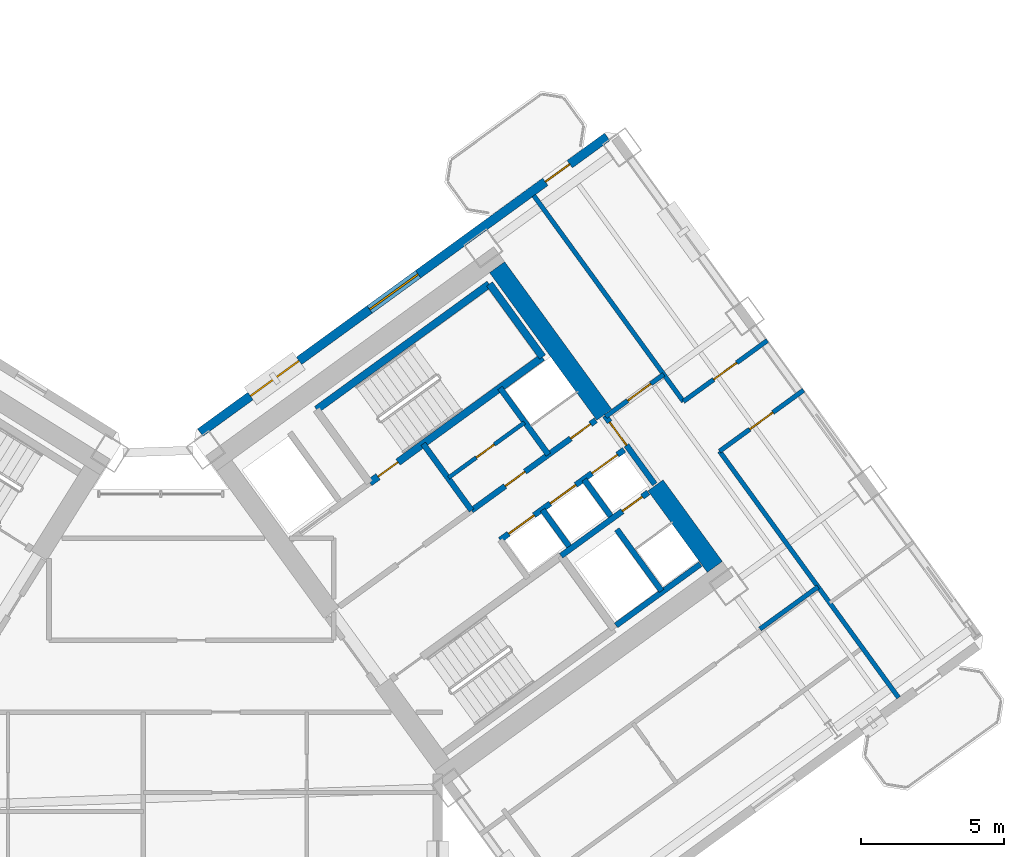
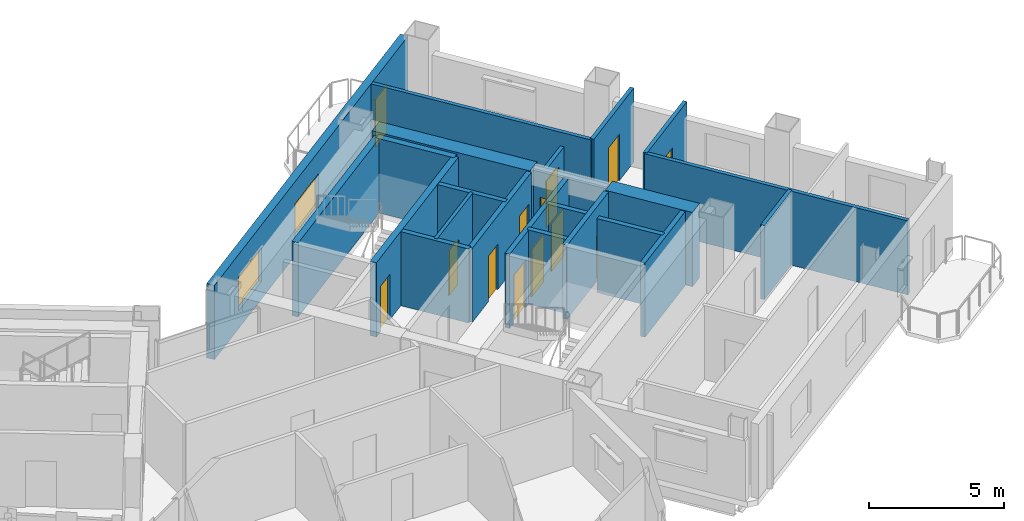
# One storey, part 19 of 24: 23 walls, 13 doors, 2 windows, 15 openings.
"""IFC4 building model written with IfcOpenShell, lengths in metres."""

from ifc_helpers import new_model, si_unit, direction, frame, frame_2d, origin, place, context, subcontext, project, spatial, rectangle, extrude, source, transform, mapped, material, layer, layer_set, type_object, element, fill, save


model = new_model("IFC4")

# Units and contexts
model_context = context("Model", 3, precision=1e-05, world=origin(), true_north=direction((0.0, 1.0)))
body_context = subcontext(model_context, "Body", "Model", "MODEL_VIEW")
ifc_project = project(units=[si_unit("LENGTHUNIT", "METRE"), si_unit("AREAUNIT", "SQUARE_METRE"), si_unit("VOLUMEUNIT", "CUBIC_METRE"), si_unit("PLANEANGLEUNIT", "RADIAN"), si_unit("MASSUNIT", "GRAM", prefix="KILO")], contexts=[model_context])

# Site, building, storey
site_placement = place(None, origin())
site = spatial("IfcSite", under=ifc_project, at=site_placement, CompositionType="ELEMENT")
building_placement = place(site_placement, origin())
building = spatial("IfcBuilding", under=site, at=building_placement, Name="Tlacorven Tower", CompositionType="ELEMENT")
storey_placement = place(building_placement, frame((0.0, 0.0, 31.199951171875)))
storey = spatial("IfcBuildingStorey", under=building, at=storey_placement, Name="L07", CompositionType="ELEMENT", Elevation=31.199951171875)

# Walls
ifc_material_1 = material(Name="Concrete C60/75", Category="concrete")
ifc_layer_1 = layer(ifc_material_1, 0.64990234375)
ifc_layer_set_1 = layer_set([ifc_layer_1], Name="Concrete C60/75")
wall_type_1 = type_object("IfcWallType", Name="WL-COR-650", PredefinedType="SHEAR", material=ifc_layer_set_1)
wall_1_placement = place(storey_placement, frame((61.9287109375, 20.494384765625, 0.0), z_axis=(0.0, 0.0, 1.0), x_axis=(-0.58782982593, 0.808984607855, 0.0)))
element("IfcWall", 1, at=wall_1_placement, inside=storey, type_object=wall_type_1, Name="L07 E core end wall E2.1", PredefinedType="SHEAR", context=body_context, shape_type="SweptSolid", body=[
    extrude(rectangle(XDim=3.52490234375, YDim=0.64990234375, at=frame_2d((1.762451171875, 0.0))), origin(), (0.0, 0.0, 1.0), 3.35009765625),
])
wall_2_placement = place(storey_placement, frame((58.06396484375, 25.8134765625, 0.0), z_axis=(0.0, 0.0, 1.0), x_axis=(-0.58777996584, 0.809020835181, 0.0)))
element("IfcWall", 2, at=wall_2_placement, inside=storey, type_object=wall_type_1, Name="L07 E core end wall E2.2", PredefinedType="SHEAR", context=body_context, shape_type="SweptSolid", body=[
    extrude(rectangle(XDim=6.375, YDim=0.64990234375, at=frame_2d((3.1875, 0.0))), origin(), (0.0, 0.0, 1.0), 3.35009765625),
])
ifc_material_2 = material(Name="Gypsum plasterboard acoustic partition", Category="gypsum")
ifc_layer_2 = layer(ifc_material_2, 0.159912109375)
ifc_layer_set_2 = layer_set([ifc_layer_2], Name="Gypsum plasterboard acoustic partition")
wall_type_2 = type_object("IfcWallType", Name="WL-DEM-160", PredefinedType="PARTITIONING", material=ifc_layer_set_2)
wall_3_placement = place(storey_placement, frame((63.5068359375, 18.322021484375, 0.0), z_axis=(0.0, 0.0, 1.0), x_axis=(0.809034604122, 0.587761013791, 0.0)))
element("IfcWall", 3, at=wall_3_placement, inside=storey, type_object=wall_type_2, Name="L07 partition 90", PredefinedType="PARTITIONING", context=body_context, shape_type="SweptSolid", body=[
    extrude(rectangle(XDim=2.510009765625, YDim=0.159912109375, at=frame_2d((1.2548828125, 0.0))), origin(), (0.0, 0.0, 1.0), 3.340087890625),
])

# Wall, opening, door
wall_4_placement = place(storey_placement, frame((58.111083984375, 25.748779296875, 0.0), z_axis=(0.0, 0.0, 1.0), x_axis=(0.809000999347, 0.58780726693, 0.0)))
wall_4 = element("IfcWall", 4, at=wall_4_placement, inside=storey, type_object=wall_type_2, Name="L07 partition 91", PredefinedType="PARTITIONING", context=body_context, shape_type="SweptSolid", body=[
    extrude(rectangle(XDim=2.510009765625, YDim=0.159912109375, at=frame_2d((1.2548828125, 0.0))), origin(), (0.0, 0.0, 1.0), 2.72509765625),
])
opening_1_placement = place(wall_4_placement, frame((0.949951171875, 0.0, 0.0)))
opening_1 = element("IfcOpeningElement", 5, at=opening_1_placement, cuts=wall_4, Name="Opening D11", PredefinedType="OPENING", context=body_context, shape_type="SweptSolid", body=[
    extrude(rectangle(XDim=1.0, YDim=2.10009765625, at=frame_2d((0.5, 1.050048828125))), frame((0.0, 0.08984375, 0.0), z_axis=(0.0, -1.0, 0.0), x_axis=(1.0, 0.0, 0.0)), (0.0, 0.0, 1.0), 0.179931640625),
])
ifc_material_3 = material(Name="Fire-rated steel door assembly", Category="steel")
door_type_1 = type_object("IfcDoorType", Name="DR-FLT-FD60-1000", OperationType="NOTDEFINED", PredefinedType="DOOR", material=ifc_material_3)
shared_shape_1 = source(origin(), body_context, "Body", "SweptSolid", [
    extrude(rectangle(XDim=1.0, YDim=2.10009765625, at=frame_2d((0.5, 1.050048828125))), frame((0.0, 0.02490234375, 0.0), z_axis=(0.0, -1.0, 0.0), x_axis=(1.0, 0.0, 0.0)), (0.0, 0.0, 1.0), 0.050048828125),
])
door_1_placement = place(opening_1_placement, origin())
door_1 = element("IfcDoor", 6, at=door_1_placement, inside=storey, type_object=door_type_1, Name="L07 door 054", OperationType="SINGLE_SWING_LEFT", OverallHeight=2.10009765625, OverallWidth=1.0, PredefinedType="DOOR", context=body_context, shape_type="MappedRepresentation", body=[
    mapped(shared_shape_1, transform((0.0, 0.0, 0.0), scale=1.0)),
])
fill(opening_1, door_1)

# Walls
wall_5_placement = place(storey_placement, frame((68.35302734375, 15.922119140625, 0.0), z_axis=(0.0, 0.0, 1.0), x_axis=(-0.587783168305, 0.809018508476, 0.0)))
element("IfcWall", 7, at=wall_5_placement, inside=storey, type_object=wall_type_2, Name="L07 partition 92", PredefinedType="PARTITIONING", context=body_context, shape_type="SweptSolid", body=[
    extrude(rectangle(XDim=10.650146484375, YDim=0.159912109375, at=frame_2d((5.3251953125, 0.0))), origin(), (0.0, 0.0, 1.0), 3.340087890625),
])
wall_6_placement = place(storey_placement, frame((60.829345703125, 26.277587890625, 0.0), z_axis=(0.0, 0.0, 1.0), x_axis=(-0.587781800813, 0.80901950201, 0.0)))
element("IfcWall", 8, at=wall_6_placement, inside=storey, type_object=wall_type_2, Name="L07 partition 93", PredefinedType="PARTITIONING", context=body_context, shape_type="SweptSolid", body=[
    extrude(rectangle(XDim=8.89990234375, YDim=0.159912109375, at=frame_2d((4.449951171875, 0.0))), origin(), (0.0, 0.0, 1.0), 3.340087890625),
])

# Wall, opening, door
wall_7_placement = place(storey_placement, frame((62.093017578125, 24.538330078125, 0.0), z_axis=(0.0, 0.0, 1.0), x_axis=(0.809035546126, 0.58775971715, 0.0)))
wall_7 = element("IfcWall", 9, at=wall_7_placement, inside=storey, type_object=wall_type_2, Name="L07 partition 95", PredefinedType="PARTITIONING", context=body_context, shape_type="SweptSolid", body=[
    extrude(rectangle(XDim=3.6298828125, YDim=0.159912109375, at=frame_2d((1.81494140625, 0.0))), origin(), (0.0, 0.0, 1.0), 3.340087890625),
])
opening_2_placement = place(wall_7_placement, frame((1.304931640625, 0.0, 0.0)))
opening_2 = element("IfcOpeningElement", 10, at=opening_2_placement, cuts=wall_7, Name="Opening D11", PredefinedType="OPENING", context=body_context, shape_type="SweptSolid", body=[
    extrude(rectangle(XDim=1.0, YDim=2.10009765625, at=frame_2d((0.5, 1.050048828125))), frame((0.0, 0.08984375, 0.0), z_axis=(0.0, -1.0, 0.0), x_axis=(1.0, 0.0, 0.0)), (0.0, 0.0, 1.0), 0.179931640625),
])
door_2_placement = place(opening_2_placement, origin())
door_2 = element("IfcDoor", 11, at=door_2_placement, inside=storey, type_object=door_type_1, Name="L07 door 057", OperationType="SINGLE_SWING_RIGHT", OverallHeight=2.10009765625, OverallWidth=1.0, PredefinedType="DOOR", context=body_context, shape_type="MappedRepresentation", body=[
    mapped(shared_shape_1, transform((0.0, 0.0, 0.0), scale=1.0)),
])
fill(opening_2, door_2)

wall_8_placement = place(storey_placement, frame((60.829345703125, 26.277587890625, 0.0), z_axis=(0.0, 0.0, 1.0), x_axis=(0.809003564202, 0.587803736896, 0.0)))
wall_8 = element("IfcWall", 12, at=wall_8_placement, inside=storey, type_object=wall_type_2, Name="L07 partition 96", PredefinedType="PARTITIONING", context=body_context, shape_type="SweptSolid", body=[
    extrude(rectangle(XDim=3.630126953125, YDim=0.159912109375, at=frame_2d((1.81494140625, 0.0))), origin(), (0.0, 0.0, 1.0), 3.340087890625),
])
opening_3_placement = place(wall_8_placement, frame((1.304931640625, 0.0, 0.0)))
opening_3 = element("IfcOpeningElement", 13, at=opening_3_placement, cuts=wall_8, Name="Opening D11", PredefinedType="OPENING", context=body_context, shape_type="SweptSolid", body=[
    extrude(rectangle(XDim=1.0, YDim=2.10009765625, at=frame_2d((0.5, 1.050048828125))), frame((0.0, 0.08984375, 0.0), z_axis=(0.0, -1.0, 0.0), x_axis=(1.0, 0.0, 0.0)), (0.0, 0.0, 1.0), 0.179931640625),
])
door_3_placement = place(opening_3_placement, origin())
door_3 = element("IfcDoor", 14, at=door_3_placement, inside=storey, type_object=door_type_1, Name="L07 door 056", OperationType="SINGLE_SWING_LEFT", OverallHeight=2.10009765625, OverallWidth=1.0, PredefinedType="DOOR", context=body_context, shape_type="MappedRepresentation", body=[
    mapped(shared_shape_1, transform((0.0, 0.0, 0.0), scale=1.0)),
])
fill(opening_3, door_3)

# Wall, openings, door, windows
ifc_material_4 = material(Name="Precast concrete C45/55", Category="concrete")
ifc_layer_3 = layer(ifc_material_4, 0.320068359375)
ifc_layer_set_3 = layer_set([ifc_layer_3], Name="Precast concrete C45/55")
wall_type_3 = type_object("IfcWallType", Name="WL-EXT-320", PredefinedType="STANDARD", material=ifc_layer_set_3)
wall_9_placement = place(storey_placement, frame((43.93798828125, 25.191650390625, 0.0), z_axis=(0.0, 0.0, 1.0), x_axis=(0.809016324578, 0.587786174187, 0.0)))
wall_9 = element("IfcWall", 15, at=wall_9_placement, inside=storey, type_object=wall_type_3, Name="L07 Masonry-Frame Recessed Facade Wall 4", PredefinedType="STANDARD", context=body_context, shape_type="SweptSolid", body=[
    extrude(rectangle(XDim=17.58740234375, YDim=0.320068359375, at=frame_2d((8.793701171875, 0.0))), origin(), (0.0, 0.0, 1.0), 3.35009765625),
])
opening_4_placement = place(wall_9_placement, frame((14.913818359375, 0.0, 0.0)))
opening_4 = element("IfcOpeningElement", 16, at=opening_4_placement, cuts=wall_9, Name="Opening D06", PredefinedType="OPENING", context=body_context, shape_type="SweptSolid", body=[
    extrude(rectangle(XDim=1.050048828125, YDim=2.14990234375, at=frame_2d((0.52490234375, 1.074951171875))), frame((0.0, 0.169921875, 0.0), z_axis=(0.0, -1.0, 0.0), x_axis=(1.0, 0.0, 0.0)), (0.0, 0.0, 1.0), 0.340087890625),
])
opening_5_placement = place(wall_9_placement, frame((2.168701171875, 0.0, 0.800048828125)))
opening_5 = element("IfcOpeningElement", 17, at=opening_5_placement, cuts=wall_9, Name="Opening WN04", PredefinedType="OPENING", context=body_context, shape_type="SweptSolid", body=[
    extrude(rectangle(XDim=2.10009765625, YDim=1.550048828125, at=frame_2d((1.050048828125, 0.77490234375))), frame((0.0, 0.169921875, 0.0), z_axis=(0.0, -1.0, 0.0), x_axis=(1.0, 0.0, 0.0)), (0.0, 0.0, 1.0), 0.340087890625),
])
opening_6_placement = place(wall_9_placement, frame((7.318603515625, 0.0, 0.800048828125)))
opening_6 = element("IfcOpeningElement", 18, at=opening_6_placement, cuts=wall_9, Name="Opening WN04", PredefinedType="OPENING", context=body_context, shape_type="SweptSolid", body=[
    extrude(rectangle(XDim=2.10009765625, YDim=1.550048828125, at=frame_2d((1.050048828125, 0.77490234375))), frame((0.0, 0.169921875, 0.0), z_axis=(0.0, -1.0, 0.0), x_axis=(1.0, 0.0, 0.0)), (0.0, 0.0, 1.0), 0.340087890625),
])
ifc_material_5 = material(Name="Powder-coated aluminium and timber door", Category="wood")
door_type_2 = type_object("IfcDoorType", Name="DR-EXT-BALC-1050", OperationType="NOTDEFINED", PredefinedType="DOOR", material=ifc_material_5)
shared_shape_2 = source(origin(), body_context, "Body", "SweptSolid", [
    extrude(rectangle(XDim=1.050048828125, YDim=2.14990234375, at=frame_2d((0.52490234375, 1.074951171875))), frame((0.0, 0.02490234375, 0.0), z_axis=(0.0, -1.0, 0.0), x_axis=(1.0, 0.0, 0.0)), (0.0, 0.0, 1.0), 0.050048828125),
])
door_4_placement = place(opening_4_placement, origin())
door_4 = element("IfcDoor", 19, at=door_4_placement, inside=storey, type_object=door_type_2, Name="L07 Outdoor Access Door BAL-L07-E-IN", OperationType="SINGLE_SWING_RIGHT", OverallHeight=2.14990234375, OverallWidth=1.050048828125, PredefinedType="DOOR", context=body_context, shape_type="MappedRepresentation", body=[
    mapped(shared_shape_2, transform((0.0, 0.0, 0.0), scale=1.0)),
])
fill(opening_4, door_4)
ifc_material_6 = material(Name="Dark solar low-E double glazing in anodised aluminium frame", Category="aluminium")
window_type = type_object("IfcWindowType", Name="WN-APT-2100X1750", PartitioningType="SINGLE_PANEL", PredefinedType="WINDOW", material=ifc_material_6)
shared_shape_3 = source(origin(), body_context, "Body", "SweptSolid", [
    extrude(rectangle(XDim=2.10009765625, YDim=1.550048828125, at=frame_2d((1.050048828125, 0.77490234375))), frame((0.0, 0.030029296875, 0.0), z_axis=(0.0, -1.0, 0.0), x_axis=(1.0, 0.0, 0.0)), (0.0, 0.0, 1.0), 0.06005859375),
])
window_1_placement = place(opening_5_placement, origin())
window_1 = element("IfcWindow", 20, at=window_1_placement, inside=storey, type_object=window_type, Name="L07 Recessed Masonry-Frame Window L07-04.1", OverallHeight=1.550048828125, OverallWidth=2.10009765625, PartitioningType="SINGLE_PANEL", PredefinedType="WINDOW", context=body_context, shape_type="MappedRepresentation", body=[
    mapped(shared_shape_3, transform((0.0, 0.0, 0.0), scale=1.0)),
])
fill(opening_5, window_1)
window_2_placement = place(opening_6_placement, origin())
window_2 = element("IfcWindow", 21, at=window_2_placement, inside=storey, type_object=window_type, Name="L07 Recessed Masonry-Frame Window L07-04.2", OverallHeight=1.550048828125, OverallWidth=2.10009765625, PartitioningType="SINGLE_PANEL", PredefinedType="WINDOW", context=body_context, shape_type="MappedRepresentation", body=[
    mapped(shared_shape_3, transform((0.0, 0.0, 0.0), scale=1.0)),
])
fill(opening_6, window_2)

# Wall, opening, door
ifc_material_7 = material(Name="Moisture-resistant gypsum plumbing wall", Category="gypsum")
ifc_layer_4 = layer(ifc_material_7, 0.139892578125)
ifc_layer_set_4 = layer_set([ifc_layer_4], Name="Moisture-resistant gypsum plumbing wall")
wall_type_4 = type_object("IfcWallType", Name="WL-PLM-140", PredefinedType="PLUMBINGWALL", material=ifc_layer_set_4)
wall_10_placement = place(storey_placement, frame((52.617919921875, 23.612060546875, 0.0), z_axis=(0.0, 0.0, 1.0), x_axis=(0.809009587469, 0.587795446889, 0.0)))
wall_10 = element("IfcWall", 22, at=wall_10_placement, inside=storey, type_object=wall_type_4, Name="L07 partition 45", PredefinedType="PLUMBINGWALL", context=body_context, shape_type="SweptSolid", body=[
    extrude(rectangle(XDim=3.280029296875, YDim=0.139892578125, at=frame_2d((1.64013671875, 0.0))), origin(), (0.0, 0.0, 1.0), 3.340087890625),
])
opening_7_placement = place(wall_10_placement, frame((1.199951171875, 0.0, 0.0)))
opening_7 = element("IfcOpeningElement", 23, at=opening_7_placement, cuts=wall_10, Name="Opening D22", PredefinedType="OPENING", context=body_context, shape_type="SweptSolid", body=[
    extrude(rectangle(XDim=0.780029296875, YDim=2.050048828125, at=frame_2d((0.39013671875, 1.02490234375))), frame((0.0, 0.080078125, 0.0), z_axis=(0.0, -1.0, 0.0), x_axis=(1.0, 0.0, 0.0)), (0.0, 0.0, 1.0), 0.159912109375),
])
door_type_3 = type_object("IfcDoorType", Name="DR-INT-WET-0780", OperationType="NOTDEFINED", PredefinedType="DOOR", material=ifc_material_5)
shared_shape_4 = source(origin(), body_context, "Body", "SweptSolid", [
    extrude(rectangle(XDim=0.780029296875, YDim=2.050048828125, at=frame_2d((0.39013671875, 1.02490234375))), frame((0.0, 0.02490234375, 0.0), z_axis=(0.0, -1.0, 0.0), x_axis=(1.0, 0.0, 0.0)), (0.0, 0.0, 1.0), 0.050048828125),
])
door_5_placement = place(opening_7_placement, origin())
door_5 = element("IfcDoor", 24, at=door_5_placement, inside=storey, type_object=door_type_3, Name="L07 door 018", OperationType="SINGLE_SWING_RIGHT", OverallHeight=2.050048828125, OverallWidth=0.780029296875, PredefinedType="DOOR", context=body_context, shape_type="MappedRepresentation", body=[
    mapped(shared_shape_4, transform((0.0, 0.0, 0.0), scale=1.0)),
])
fill(opening_7, door_5)

ifc_material_8 = material(Name="Concrete C40/50", Category="concrete")
ifc_layer_5 = layer(ifc_material_8, 0.199951171875)
ifc_layer_set_5 = layer_set([ifc_layer_5], Name="Concrete C40/50")
wall_type_5 = type_object("IfcWallType", Name="WL-SHF-200", PredefinedType="STANDARD", material=ifc_layer_set_5)
wall_11_placement = place(storey_placement, frame((56.552978515625, 20.884033203125, 0.0), z_axis=(0.0, 0.0, 1.0), x_axis=(0.809035789462, 0.587759382205, 0.0)))
wall_11 = element("IfcWall", 25, at=wall_11_placement, inside=storey, type_object=wall_type_5, Name="L07 Core E South Lift Shaft Wall", PredefinedType="STANDARD", context=body_context, shape_type="SweptSolid", body=[
    extrude(rectangle(XDim=3.767822265625, YDim=0.199951171875, at=frame_2d((1.8837890625, 0.0))), origin(), (0.0, 0.0, 1.0), 3.340087890625),
])
opening_8_placement = place(wall_11_placement, frame((2.64990234375, 0.0, 0.0)))
opening_8 = element("IfcOpeningElement", 26, at=opening_8_placement, cuts=wall_11, Name="Opening D19", PredefinedType="OPENING", context=body_context, shape_type="SweptSolid", body=[
    extrude(rectangle(XDim=0.860107421875, YDim=2.050048828125, at=frame_2d((0.43017578125, 1.02490234375))), frame((0.0, 0.10986328125, 0.0), z_axis=(0.0, -1.0, 0.0), x_axis=(1.0, 0.0, 0.0)), (0.0, 0.0, 1.0), 0.219970703125),
])
door_type_4 = type_object("IfcDoorType", Name="DR-RSR-FD60-0860", OperationType="NOTDEFINED", PredefinedType="DOOR", material=ifc_material_3)
shared_shape_5 = source(origin(), body_context, "Body", "SweptSolid", [
    extrude(rectangle(XDim=0.860107421875, YDim=2.050048828125, at=frame_2d((0.43017578125, 1.02490234375))), frame((0.0, 0.02490234375, 0.0), z_axis=(0.0, -1.0, 0.0), x_axis=(1.0, 0.0, 0.0)), (0.0, 0.0, 1.0), 0.050048828125),
])
door_6_placement = place(opening_8_placement, origin())
door_6 = element("IfcDoor", 27, at=door_6_placement, inside=storey, type_object=door_type_4, Name="L07 Smoke Extract Riser Access Door", OperationType="SINGLE_SWING_LEFT", OverallHeight=2.050048828125, OverallWidth=0.860107421875, PredefinedType="DOOR", context=body_context, shape_type="MappedRepresentation", body=[
    mapped(shared_shape_5, transform((0.0, 0.0, 0.0), scale=1.0)),
])
fill(opening_8, door_6)

# Wall, openings, doors
wall_12_placement = place(storey_placement, frame((54.421142578125, 21.436279296875, 0.0), z_axis=(0.0, 0.0, 1.0), x_axis=(0.809013710463, 0.587789772183, 0.0)))
wall_12 = element("IfcWall", 28, at=wall_12_placement, inside=storey, type_object=wall_type_5, Name="L07 partition 33", PredefinedType="STANDARD", context=body_context, shape_type="SweptSolid", body=[
    extrude(rectangle(XDim=5.360107421875, YDim=0.199951171875, at=frame_2d((2.68017578125, 0.0))), origin(), (0.0, 0.0, 1.0), 3.340087890625),
])
opening_9_placement = place(wall_12_placement, frame((0.3701171875, 0.0, 0.0)))
opening_9 = element("IfcOpeningElement", 29, at=opening_9_placement, cuts=wall_12, Name="Opening LD01", PredefinedType="OPENING", context=body_context, shape_type="SweptSolid", body=[
    extrude(rectangle(XDim=1.10009765625, YDim=2.14990234375, at=frame_2d((0.550048828125, 1.074951171875))), frame((0.0, 0.10986328125, 0.0), z_axis=(0.0, -1.0, 0.0), x_axis=(1.0, 0.0, 0.0)), (0.0, 0.0, 1.0), 0.219970703125),
])
opening_10_placement = place(wall_12_placement, frame((2.169921875, 0.0, 0.0)))
opening_10 = element("IfcOpeningElement", 30, at=opening_10_placement, cuts=wall_12, Name="Opening LD01", PredefinedType="OPENING", context=body_context, shape_type="SweptSolid", body=[
    extrude(rectangle(XDim=1.10009765625, YDim=2.14990234375, at=frame_2d((0.550048828125, 1.074951171875))), frame((0.0, 0.10986328125, 0.0), z_axis=(0.0, -1.0, 0.0), x_axis=(1.0, 0.0, 0.0)), (0.0, 0.0, 1.0), 0.219970703125),
])
opening_11_placement = place(wall_12_placement, frame((3.969970703125, 0.0, 0.0)))
opening_11 = element("IfcOpeningElement", 31, at=opening_11_placement, cuts=wall_12, Name="Opening LD01", PredefinedType="OPENING", context=body_context, shape_type="SweptSolid", body=[
    extrude(rectangle(XDim=1.10009765625, YDim=2.14990234375, at=frame_2d((0.550048828125, 1.074951171875))), frame((0.0, 0.10986328125, 0.0), z_axis=(0.0, -1.0, 0.0), x_axis=(1.0, 0.0, 0.0)), (0.0, 0.0, 1.0), 0.219970703125),
])
door_type_5 = type_object("IfcDoorType", Name="DR-LFT-SLID-1100", OperationType="DOUBLE_DOOR_SLIDING", PredefinedType="DOOR", material=ifc_material_3)
shared_shape_6 = source(origin(), body_context, "Body", "SweptSolid", [
    extrude(rectangle(XDim=1.10009765625, YDim=2.14990234375, at=frame_2d((0.550048828125, 1.074951171875))), frame((0.0, 0.02490234375, 0.0), z_axis=(0.0, -1.0, 0.0), x_axis=(1.0, 0.0, 0.0)), (0.0, 0.0, 1.0), 0.050048828125),
])
door_7_placement = place(opening_9_placement, origin())
door_7 = element("IfcDoor", 32, at=door_7_placement, inside=storey, type_object=door_type_5, Name="L07 Lift PL-L1 Sliding Landing Door", OperationType="DOUBLE_DOOR_SLIDING", OverallHeight=2.14990234375, OverallWidth=1.10009765625, PredefinedType="DOOR", context=body_context, shape_type="MappedRepresentation", body=[
    mapped(shared_shape_6, transform((0.0, 0.0, 0.0), scale=1.0)),
])
fill(opening_9, door_7)
door_8_placement = place(opening_10_placement, origin())
door_8 = element("IfcDoor", 33, at=door_8_placement, inside=storey, type_object=door_type_5, Name="L07 Lift PL-L2 Sliding Landing Door", OperationType="DOUBLE_DOOR_SLIDING", OverallHeight=2.14990234375, OverallWidth=1.10009765625, PredefinedType="DOOR", context=body_context, shape_type="MappedRepresentation", body=[
    mapped(shared_shape_6, transform((0.0, 0.0, 0.0), scale=1.0)),
])
fill(opening_10, door_8)
door_9_placement = place(opening_11_placement, origin())
door_9 = element("IfcDoor", 34, at=door_9_placement, inside=storey, type_object=door_type_5, Name="L07 Lift PL-L3 Sliding Landing Door", OperationType="DOUBLE_DOOR_SLIDING", OverallHeight=2.14990234375, OverallWidth=1.10009765625, PredefinedType="DOOR", context=body_context, shape_type="MappedRepresentation", body=[
    mapped(shared_shape_6, transform((0.0, 0.0, 0.0), scale=1.0)),
])
fill(opening_11, door_9)

# Walls
wall_13_placement = place(storey_placement, frame((56.833984375, 21.211669921875, 0.0), z_axis=(0.0, 0.0, 1.0), x_axis=(-0.58776738483, 0.809029975545, 0.0)))
element("IfcWall", 35, at=wall_13_placement, inside=storey, type_object=wall_type_5, Name="L07 partition 36", PredefinedType="STANDARD", context=body_context, shape_type="SweptSolid", body=[
    extrude(rectangle(XDim=1.580078125, YDim=0.199951171875, at=frame_2d((0.7900390625, 0.0))), origin(), (0.0, 0.0, 1.0), 3.340087890625),
])
wall_14_placement = place(storey_placement, frame((58.290283203125, 22.269775390625, 0.0), z_axis=(0.0, 0.0, 1.0), x_axis=(-0.587840865826, 0.808976585857, 0.0)))
element("IfcWall", 36, at=wall_14_placement, inside=storey, type_object=wall_type_5, Name="L07 partition 37", PredefinedType="STANDARD", context=body_context, shape_type="SweptSolid", body=[
    extrude(rectangle(XDim=1.579833984375, YDim=0.199951171875, at=frame_2d((0.7900390625, 0.0))), origin(), (0.0, 0.0, 1.0), 3.340087890625),
])
wall_15_placement = place(storey_placement, frame((60.066650390625, 19.654541015625, 0.0), z_axis=(0.0, 0.0, 1.0), x_axis=(-0.587800520745, 0.809005900975, 0.0)))
element("IfcWall", 37, at=wall_15_placement, inside=storey, type_object=wall_type_5, Name="L07 partition 38", PredefinedType="STANDARD", context=body_context, shape_type="SweptSolid", body=[
    extrude(rectangle(XDim=2.659912109375, YDim=0.199951171875, at=frame_2d((1.330078125, 0.0))), origin(), (0.0, 0.0, 1.0), 3.340087890625),
])
wall_16_placement = place(storey_placement, frame((58.47216796875, 18.446533203125, 0.0), z_axis=(0.0, 0.0, 1.0), x_axis=(0.809022487728, 0.587777691266, 0.0)))
element("IfcWall", 38, at=wall_16_placement, inside=storey, type_object=wall_type_5, Name="L07 partition 40", PredefinedType="STANDARD", context=body_context, shape_type="SweptSolid", body=[
    extrude(rectangle(XDim=3.648193359375, YDim=0.199951171875, at=frame_2d((1.82421875, 0.0))), origin(), (0.0, 0.0, 1.0), 3.340087890625),
])
wall_17_placement = place(storey_placement, frame((53.424560546875, 22.467529296875, 0.0), z_axis=(0.0, 0.0, 1.0), x_axis=(-0.5877230039, 0.809062216821, 0.0)))
element("IfcWall", 39, at=wall_17_placement, inside=storey, type_object=wall_type_5, Name="L07 partition 42", PredefinedType="STANDARD", context=body_context, shape_type="SweptSolid", body=[
    extrude(rectangle(XDim=2.8798828125, YDim=0.199951171875, at=frame_2d((1.43994140625, 0.0))), origin(), (0.0, 0.0, 1.0), 3.340087890625),
])
wall_18_placement = place(storey_placement, frame((56.110595703125, 24.4189453125, 0.0), z_axis=(0.0, 0.0, 1.0), x_axis=(-0.58777848983, 0.809021907548, 0.0)))
element("IfcWall", 40, at=wall_18_placement, inside=storey, type_object=wall_type_5, Name="L07 partition 43", PredefinedType="STANDARD", context=body_context, shape_type="SweptSolid", body=[
    extrude(rectangle(XDim=2.880126953125, YDim=0.199951171875, at=frame_2d((1.43994140625, 0.0))), origin(), (0.0, 0.0, 1.0), 3.340087890625),
])

# Wall, openings, doors
wall_19_placement = place(storey_placement, frame((53.424560546875, 22.467529296875, 0.0), z_axis=(0.0, 0.0, 1.0), x_axis=(0.80902705128, 0.587771409902, 0.0)))
wall_19 = element("IfcWall", 41, at=wall_19_placement, inside=storey, type_object=wall_type_5, Name="L07 Core E North Service Wall", PredefinedType="STANDARD", context=body_context, shape_type="SweptSolid", body=[
    extrude(rectangle(XDim=5.3681640625, YDim=0.199951171875, at=frame_2d((2.68408203125, 0.0))), origin(), (0.0, 0.0, 1.0), 3.340087890625),
])
opening_12_placement = place(wall_19_placement, frame((4.280029296875, 0.0, 0.0)))
opening_12 = element("IfcOpeningElement", 42, at=opening_12_placement, cuts=wall_19, Name="Opening D19", PredefinedType="OPENING", context=body_context, shape_type="SweptSolid", body=[
    extrude(rectangle(XDim=0.860107421875, YDim=2.050048828125, at=frame_2d((0.43017578125, 1.02490234375))), frame((0.0, 0.10986328125, 0.0), z_axis=(0.0, -1.0, 0.0), x_axis=(1.0, 0.0, 0.0)), (0.0, 0.0, 1.0), 0.219970703125),
])
opening_13_placement = place(wall_19_placement, frame((1.449951171875, 0.0, 0.0)))
opening_13 = element("IfcOpeningElement", 43, at=opening_13_placement, cuts=wall_19, Name="Opening D19", PredefinedType="OPENING", context=body_context, shape_type="SweptSolid", body=[
    extrude(rectangle(XDim=0.860107421875, YDim=2.050048828125, at=frame_2d((0.43017578125, 1.02490234375))), frame((0.0, 0.10986328125, 0.0), z_axis=(0.0, -1.0, 0.0), x_axis=(1.0, 0.0, 0.0)), (0.0, 0.0, 1.0), 0.219970703125),
])
door_10_placement = place(opening_12_placement, frame((0.860107421875, 0.0, 0.0), z_axis=(0.0, 0.0, 1.0), x_axis=(-1.0, 0.0, 0.0)))
door_10 = element("IfcDoor", 44, at=door_10_placement, inside=storey, type_object=door_type_4, Name="L07 Electrical Riser Access Door E", OperationType="SINGLE_SWING_RIGHT", OverallHeight=2.050048828125, OverallWidth=0.860107421875, PredefinedType="DOOR", context=body_context, shape_type="MappedRepresentation", body=[
    mapped(shared_shape_5, transform((0.0, 0.0, 0.0), scale=1.0)),
])
fill(opening_12, door_10)
door_11_placement = place(opening_13_placement, frame((0.860107421875, 0.0, 0.0), z_axis=(0.0, 0.0, 1.0), x_axis=(-1.0, 0.0, 0.0)))
door_11 = element("IfcDoor", 45, at=door_11_placement, inside=storey, type_object=door_type_4, Name="L07 Cleaner Store Access Door E", OperationType="SINGLE_SWING_LEFT", OverallHeight=2.050048828125, OverallWidth=0.860107421875, PredefinedType="DOOR", context=body_context, shape_type="MappedRepresentation", body=[
    mapped(shared_shape_5, transform((0.0, 0.0, 0.0), scale=1.0)),
])
fill(opening_13, door_11)

# Wall, opening, door
wall_20_placement = place(storey_placement, frame((59.827392578125, 23.386474609375, 0.0), z_axis=(0.0, 0.0, 1.0), x_axis=(-0.587803840107, 0.809003489211, 0.0)))
wall_20 = element("IfcWall", 46, at=wall_20_placement, inside=storey, type_object=wall_type_5, Name="L07 partition 89", PredefinedType="STANDARD", context=body_context, shape_type="SweptSolid", body=[
    extrude(rectangle(XDim=2.960205078125, YDim=0.199951171875, at=frame_2d((1.47998046875, 0.0))), origin(), (0.0, 0.0, 1.0), 3.340087890625),
])
opening_14_placement = place(wall_20_placement, frame((1.679931640625, 0.0, 0.0)))
opening_14 = element("IfcOpeningElement", 47, at=opening_14_placement, cuts=wall_20, Name="Opening D11", PredefinedType="OPENING", context=body_context, shape_type="SweptSolid", body=[
    extrude(rectangle(XDim=1.0, YDim=2.10009765625, at=frame_2d((0.5, 1.050048828125))), frame((0.0, 0.10986328125, 0.0), z_axis=(0.0, -1.0, 0.0), x_axis=(1.0, 0.0, 0.0)), (0.0, 0.0, 1.0), 0.219970703125),
])
door_12_placement = place(opening_14_placement, origin())
door_12 = element("IfcDoor", 48, at=door_12_placement, inside=storey, type_object=door_type_1, Name="L07 door 055", OperationType="SINGLE_SWING_RIGHT", OverallHeight=2.10009765625, OverallWidth=1.0, PredefinedType="DOOR", context=body_context, shape_type="MappedRepresentation", body=[
    mapped(shared_shape_1, transform((0.0, 0.0, 0.0), scale=1.0)),
])
fill(opening_14, door_12)

# Wall
ifc_material_9 = material(Name="Concrete C50/60", Category="concrete")
ifc_layer_6 = layer(ifc_material_9, 0.260009765625)
ifc_layer_set_6 = layer_set([ifc_layer_6], Name="Concrete C50/60")
wall_type_6 = type_object("IfcWallType", Name="WL-STW-260", PredefinedType="SHEAR", material=ifc_layer_set_6)
wall_21_placement = place(storey_placement, frame((48.005615234375, 25.996337890625, 0.0), z_axis=(0.0, 0.0, 1.0), x_axis=(0.80901903764, 0.587782439969, 0.0)))
element("IfcWall", 49, at=wall_21_placement, inside=storey, type_object=wall_type_6, Name="L07 Stair E1 Far Shear Wall", PredefinedType="SHEAR", context=body_context, shape_type="SweptSolid", body=[
    extrude(rectangle(XDim=7.4599609375, YDim=0.260009765625, at=frame_2d((3.72998046875, 0.0))), origin(), (0.0, 0.0, 1.0), 3.35009765625),
])

# Wall, opening, door
wall_22_placement = place(storey_placement, frame((49.863037109375, 23.439697265625, 0.0), z_axis=(0.0, 0.0, 1.0), x_axis=(0.809003474932, 0.587803859759, 0.0)))
wall_22 = element("IfcWall", 50, at=wall_22_placement, inside=storey, type_object=wall_type_6, Name="L07 Stair E1 Lobby Shear Wall", PredefinedType="SHEAR", context=body_context, shape_type="SweptSolid", body=[
    extrude(rectangle(XDim=7.4599609375, YDim=0.260009765625, at=frame_2d((3.72998046875, 0.0))), origin(), (0.0, 0.0, 1.0), 3.35009765625),
])
opening_15_placement = place(wall_22_placement, frame((0.360107421875, 0.0, 0.0)))
opening_15 = element("IfcOpeningElement", 51, at=opening_15_placement, cuts=wall_22, Name="Opening D19", PredefinedType="OPENING", context=body_context, shape_type="SweptSolid", body=[
    extrude(rectangle(XDim=0.860107421875, YDim=2.050048828125, at=frame_2d((0.43017578125, 1.02490234375))), frame((0.0, 0.14013671875, 0.0), z_axis=(0.0, -1.0, 0.0), x_axis=(1.0, 0.0, 0.0)), (0.0, 0.0, 1.0), 0.280029296875),
])
door_13_placement = place(opening_15_placement, frame((0.860107421875, 0.0, 0.0), z_axis=(0.0, 0.0, 1.0), x_axis=(-1.0, 0.0, 0.0)))
door_13 = element("IfcDoor", 52, at=door_13_placement, inside=storey, type_object=door_type_4, Name="L07 Exit Stair E1 Fire Door", OperationType="SINGLE_SWING_LEFT", OverallHeight=2.050048828125, OverallWidth=0.860107421875, PredefinedType="DOOR", context=body_context, shape_type="MappedRepresentation", body=[
    mapped(shared_shape_5, transform((0.0, 0.0, 0.0), scale=1.0)),
])
fill(opening_15, door_13)

# Wall
wall_23_placement = place(storey_placement, frame((55.906494140625, 27.83056640625, 0.0), z_axis=(0.0, 0.0, 1.0), x_axis=(-0.587804123638, 0.809003283204, 0.0)))
element("IfcWall", 53, at=wall_23_placement, inside=storey, type_object=wall_type_6, Name="L07 Stair E1 East Shear Wall", PredefinedType="SHEAR", context=body_context, shape_type="SweptSolid", body=[
    extrude(rectangle(XDim=3.159912109375, YDim=0.260009765625, at=frame_2d((1.580078125, 0.0))), origin(), (0.0, 0.0, 1.0), 3.35009765625),
])

save(model, "model.ifc")
